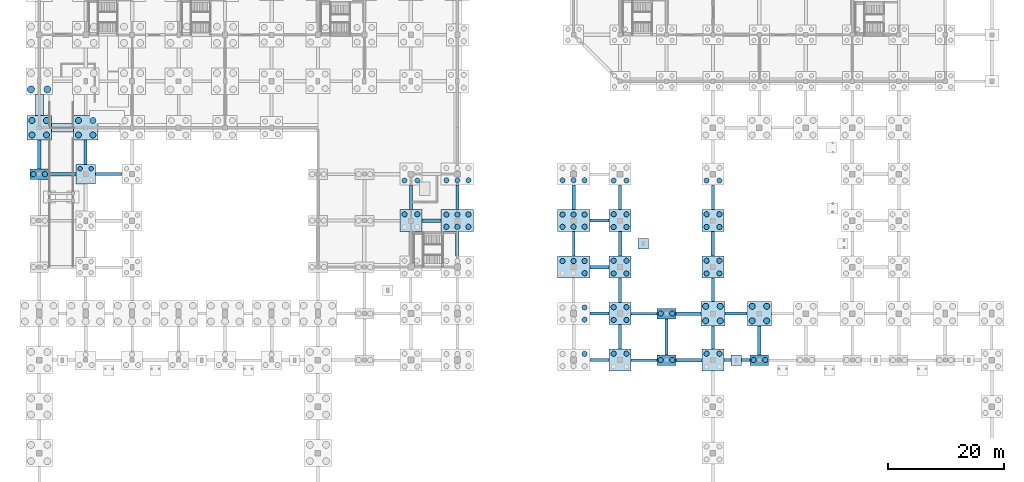
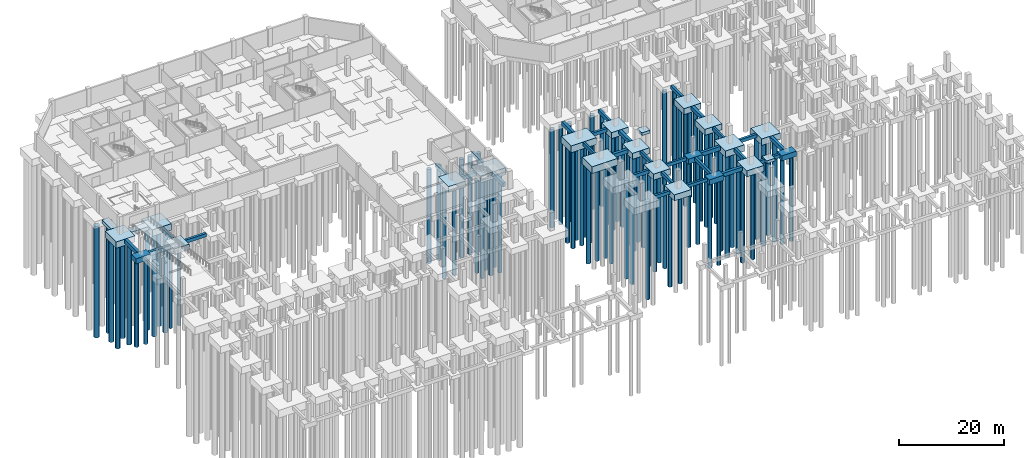
# One storey, part 4 of 32: 85 piles, 55 footings.
"""IFC4 building model written with IfcOpenShell, lengths in metres."""

from ifc_helpers import new_model, si_unit, direction, frame, origin, origin_2d, place, context, subcontext, project, spatial, polyline, rectangle, circle, outline, extrude, material, material_profile, profile_set, type_object, element, save


model = new_model("IFC4")

# Units and contexts
model_context = context("Model", 3, precision=1e-05, world=origin(), true_north=direction((0.0, 1.0)))
body_context = subcontext(model_context, "Body", "Model", "MODEL_VIEW")
ifc_project = project(units=[si_unit("LENGTHUNIT", "METRE"), si_unit("AREAUNIT", "SQUARE_METRE"), si_unit("VOLUMEUNIT", "CUBIC_METRE"), si_unit("PLANEANGLEUNIT", "RADIAN"), si_unit("MASSUNIT", "GRAM", prefix="KILO")], contexts=[model_context])

# Site, building, storey
site_placement = place(None, origin())
site = spatial("IfcSite", under=ifc_project, at=site_placement, CompositionType="ELEMENT")
building_placement = place(site_placement, origin())
building = spatial("IfcBuilding", under=site, at=building_placement, Name="Tenunan Teduh Sports Hall", CompositionType="ELEMENT")
storey_placement = place(building_placement, frame((0.0, 0.0, -4.199951171875)))
storey = spatial("IfcBuildingStorey", under=building, at=storey_placement, Name="B1", CompositionType="ELEMENT", Elevation=-4.199951171875)

# Footings
ifc_material_1 = material(Name="Concrete C40/50", Category="concrete")
ifc_material_profile_1 = material_profile(ifc_material_1, rectangle(XDim=0.449951171875, YDim=0.75, at=origin_2d()), Name="RCB 450x750")
ifc_profile_set_1 = profile_set([ifc_material_profile_1], Name="Concrete C40/50")
footing_type_1 = type_object("IfcFootingType", Name="GB-450x750", PredefinedType="FOOTING_BEAM", material=ifc_profile_set_1)
for number, where, z_axis, x_axis, name in (
    (1, (107.902099609375, 38.0, -0.375), (1.0, 0.0, 0.0), (0.0, 1.0, 0.0), "FTG-GBX-050"),
    (2, (107.902099609375, 46.0, -0.375), (1.0, 0.0, 0.0), (0.0, 1.0, 0.0), "FTG-GBX-071"),
):
    element("IfcFooting", number, at=place(storey_placement, frame(where, z_axis=z_axis, x_axis=x_axis)), inside=storey, type_object=footing_type_1, Name=name, PredefinedType="FOOTING_BEAM", context=body_context, shape_type="SweptSolid", body=[
        extrude(rectangle(XDim=0.449951171875, YDim=0.75, at=origin_2d()), origin(), (0.0, 0.0, 1.0), 4.495849609375),
    ])
for number, where, z_axis, x_axis, name in (
    (3, (98.0, 55.902099609375, -0.375), (0.0, 1.0, 0.0), (-1.0, 0.0, 0.0), "FTG-GBY-261"),
    (4, (106.0, 47.902099609375, -0.375), (0.0, 1.0, 0.0), (-1.0, 0.0, 0.0), "FTG-GBY-265"),
):
    element("IfcFooting", number, at=place(storey_placement, frame(where, z_axis=z_axis, x_axis=x_axis)), inside=storey, type_object=footing_type_1, Name=name, PredefinedType="FOOTING_BEAM", context=body_context, shape_type="SweptSolid", body=[
        extrude(rectangle(XDim=0.449951171875, YDim=0.75, at=origin_2d()), origin(), (0.0, 0.0, 1.0), 4.19580078125),
    ])
footing_1_placement = place(storey_placement, frame((122.0, 48.10205078125, -0.375), z_axis=(0.0, 1.0, 0.0), x_axis=(-1.0, 0.0, 0.0)))
element("IfcFooting", 5, at=footing_1_placement, inside=storey, type_object=footing_type_1, Name="FTG-GBY-283", PredefinedType="FOOTING_BEAM", context=body_context, shape_type="SweptSolid", body=[
    extrude(rectangle(XDim=0.449951171875, YDim=0.75, at=origin_2d()), origin(), (0.0, 0.0, 1.0), 3.995849609375),
])
ifc_material_2 = material(Name="Concrete C40/50", Category="concrete")
ifc_material_profile_2 = material_profile(ifc_material_2, rectangle(XDim=0.5, YDim=0.800048828125, at=origin_2d()), Name="RCB 500x800")
ifc_profile_set_2 = profile_set([ifc_material_profile_2], Name="Concrete C40/50")
footing_type_2 = type_object("IfcFootingType", Name="GB-500x800", PredefinedType="FOOTING_BEAM", material=ifc_profile_set_2)
footing_2_placement = place(storey_placement, frame((100.802001953125, 38.0, -0.400146484375), z_axis=(1.0, 0.0, 0.0), x_axis=(0.0, 1.0, 0.0)))
element("IfcFooting", 6, at=footing_2_placement, inside=storey, type_object=footing_type_2, Name="FTG-GBX-049", PredefinedType="FOOTING_BEAM", context=body_context, shape_type="SweptSolid", body=[
    extrude(rectangle(XDim=0.5, YDim=0.800048828125, at=origin_2d()), origin(), (0.0, 0.0, 1.0), 3.2958984375),
])
footing_3_placement = place(storey_placement, frame((123.902099609375, 38.0, -0.400146484375), z_axis=(1.0, 0.0, 0.0), x_axis=(0.0, 1.0, 0.0)))
element("IfcFooting", 7, at=footing_3_placement, inside=storey, type_object=footing_type_2, Name="FTG-GBX-052", PredefinedType="FOOTING_BEAM", context=body_context, shape_type="SweptSolid", body=[
    extrude(rectangle(XDim=0.5, YDim=0.800048828125, at=origin_2d()), origin(), (0.0, 0.0, 1.0), 1.19580078125),
])
footing_4_placement = place(storey_placement, frame((126.902099609375, 38.0, -0.400146484375), z_axis=(1.0, 0.0, 0.0), x_axis=(0.0, 1.0, 0.0)))
element("IfcFooting", 8, at=footing_4_placement, inside=storey, type_object=footing_type_2, Name="FTG-GBX-053", PredefinedType="FOOTING_BEAM", context=body_context, shape_type="SweptSolid", body=[
    extrude(rectangle(XDim=0.5, YDim=0.800048828125, at=origin_2d()), origin(), (0.0, 0.0, 1.0), 1.495849609375),
])
footing_5_placement = place(storey_placement, frame((100.802001953125, 46.0, -0.400146484375), z_axis=(1.0, 0.0, 0.0), x_axis=(0.0, 1.0, 0.0)))
element("IfcFooting", 9, at=footing_5_placement, inside=storey, type_object=footing_type_2, Name="FTG-GBX-070", PredefinedType="FOOTING_BEAM", context=body_context, shape_type="SweptSolid", body=[
    extrude(rectangle(XDim=0.5, YDim=0.800048828125, at=origin_2d()), origin(), (0.0, 0.0, 1.0), 3.2958984375),
])
footing_6_placement = place(storey_placement, frame((124.10205078125, 46.0, -0.400146484375), z_axis=(1.0, 0.0, 0.0), x_axis=(0.0, 1.0, 0.0)))
element("IfcFooting", 10, at=footing_6_placement, inside=storey, type_object=footing_type_2, Name="FTG-GBX-073", PredefinedType="FOOTING_BEAM", context=body_context, shape_type="SweptSolid", body=[
    extrude(rectangle(XDim=0.5, YDim=0.800048828125, at=origin_2d()), origin(), (0.0, 0.0, 1.0), 3.7958984375),
])
footing_7_placement = place(storey_placement, frame((100.802001953125, 62.0, -0.400146484375), z_axis=(1.0, 0.0, 0.0), x_axis=(0.0, 1.0, 0.0)))
element("IfcFooting", 11, at=footing_7_placement, inside=storey, type_object=footing_type_2, Name="FTG-GBX-088", PredefinedType="FOOTING_BEAM", context=body_context, shape_type="SweptSolid", body=[
    extrude(rectangle(XDim=0.5, YDim=0.800048828125, at=origin_2d()), origin(), (0.0, 0.0, 1.0), 3.2958984375),
])
footing_8_placement = place(storey_placement, frame((15.701904296875, 70.0, -0.400146484375), z_axis=(1.0, 0.0, 0.0), x_axis=(0.0, 1.0, 0.0)))
element("IfcFooting", 12, at=footing_8_placement, inside=storey, type_object=footing_type_2, Name="FTG-GBX-091", PredefinedType="FOOTING_BEAM", context=body_context, shape_type="SweptSolid", body=[
    extrude(rectangle(XDim=0.5, YDim=0.800048828125, at=origin_2d()), origin(), (0.0, 0.0, 1.0), 4.59619140625),
])
footing_9_placement = place(storey_placement, frame((14.0, 71.701904296875, -0.400146484375), z_axis=(0.0, 1.0, 0.0), x_axis=(-1.0, 0.0, 0.0)))
element("IfcFooting", 13, at=footing_9_placement, inside=storey, type_object=footing_type_2, Name="FTG-GBY-185", PredefinedType="FOOTING_BEAM", context=body_context, shape_type="SweptSolid", body=[
    extrude(rectangle(XDim=0.5, YDim=0.800048828125, at=origin_2d()), origin(), (0.0, 0.0, 1.0), 4.196044921875),
])
for number, where, z_axis, x_axis, name in (
    (14, (70.0, 63.902099609375, -0.400146484375), (0.0, 1.0, 0.0), (-1.0, 0.0, 0.0), "FTG-GBY-248"),
    (15, (78.0, 63.902099609375, -0.400146484375), (0.0, 1.0, 0.0), (-1.0, 0.0, 0.0), "FTG-GBY-257"),
    (16, (106.0, 39.902099609375, -0.400146484375), (0.0, 1.0, 0.0), (-1.0, 0.0, 0.0), "FTG-GBY-264"),
    (17, (106.0, 63.902099609375, -0.400146484375), (0.0, 1.0, 0.0), (-1.0, 0.0, 0.0), "FTG-GBY-267"),
):
    element("IfcFooting", number, at=place(storey_placement, frame(where, z_axis=z_axis, x_axis=x_axis)), inside=storey, type_object=footing_type_2, Name=name, PredefinedType="FOOTING_BEAM", context=body_context, shape_type="SweptSolid", body=[
        extrude(rectangle(XDim=0.5, YDim=0.800048828125, at=origin_2d()), origin(), (0.0, 0.0, 1.0), 4.19580078125),
    ])
footing_10_placement = place(storey_placement, frame((114.0, 38.902099609375, -0.400146484375), z_axis=(0.0, 1.0, 0.0), x_axis=(-1.0, 0.0, 0.0)))
element("IfcFooting", 18, at=footing_10_placement, inside=storey, type_object=footing_type_2, Name="FTG-GBY-273", PredefinedType="FOOTING_BEAM", context=body_context, shape_type="SweptSolid", body=[
    extrude(rectangle(XDim=0.5, YDim=0.800048828125, at=origin_2d()), origin(), (0.0, 0.0, 1.0), 6.19580078125),
])
footing_11_placement = place(storey_placement, frame((122.0, 39.902099609375, -0.400146484375), z_axis=(0.0, 1.0, 0.0), x_axis=(-1.0, 0.0, 0.0)))
element("IfcFooting", 19, at=footing_11_placement, inside=storey, type_object=footing_type_2, Name="FTG-GBY-282", PredefinedType="FOOTING_BEAM", context=body_context, shape_type="SweptSolid", body=[
    extrude(rectangle(XDim=0.5, YDim=0.800048828125, at=origin_2d()), origin(), (0.0, 0.0, 1.0), 3.995849609375),
])
footing_12_placement = place(storey_placement, frame((122.0, 63.902099609375, -0.400146484375), z_axis=(0.0, 1.0, 0.0), x_axis=(-1.0, 0.0, 0.0)))
element("IfcFooting", 20, at=footing_12_placement, inside=storey, type_object=footing_type_2, Name="FTG-GBY-285", PredefinedType="FOOTING_BEAM", context=body_context, shape_type="SweptSolid", body=[
    extrude(rectangle(XDim=0.5, YDim=0.800048828125, at=origin_2d()), origin(), (0.0, 0.0, 1.0), 4.19580078125),
])
ifc_material_3 = material(Name="Concrete C40/50", Category="concrete")
ifc_material_profile_3 = material_profile(ifc_material_3, rectangle(XDim=0.60009765625, YDim=0.89990234375, at=origin_2d()), Name="RCB 600x900")
ifc_profile_set_3 = profile_set([ifc_material_profile_3], Name="Concrete C40/50")
footing_type_3 = type_object("IfcFootingType", Name="GB-600x900", PredefinedType="FOOTING_BEAM", material=ifc_profile_set_3)
footing_13_placement = place(storey_placement, frame((115.60205078125, 38.0, -0.449951171875), z_axis=(1.0, 0.0, 0.0), x_axis=(0.0, 1.0, 0.0)))
element("IfcFooting", 21, at=footing_13_placement, inside=storey, type_object=footing_type_3, Name="FTG-GBX-051", PredefinedType="FOOTING_BEAM", context=body_context, shape_type="SweptSolid", body=[
    extrude(rectangle(XDim=0.60009765625, YDim=0.89990234375, at=origin_2d()), origin(), (0.0, 0.0, 1.0), 4.495849609375),
])
footing_14_placement = place(storey_placement, frame((115.60205078125, 46.0, -0.449951171875), z_axis=(1.0, 0.0, 0.0), x_axis=(0.0, 1.0, 0.0)))
element("IfcFooting", 22, at=footing_14_placement, inside=storey, type_object=footing_type_3, Name="FTG-GBX-072", PredefinedType="FOOTING_BEAM", context=body_context, shape_type="SweptSolid", body=[
    extrude(rectangle(XDim=0.60009765625, YDim=0.89990234375, at=origin_2d()), origin(), (0.0, 0.0, 1.0), 4.2958984375),
])
for number, where, z_axis, x_axis, name in (
    (23, (100.802001953125, 54.0, -0.449951171875), (1.0, 0.0, 0.0), (0.0, 1.0, 0.0), "FTG-GBX-081"),
    (24, (71.902099609375, 62.0, -0.449951171875), (1.0, 0.0, 0.0), (0.0, 1.0, 0.0), "FTG-GBX-087"),
):
    element("IfcFooting", number, at=place(storey_placement, frame(where, z_axis=z_axis, x_axis=x_axis)), inside=storey, type_object=footing_type_3, Name=name, PredefinedType="FOOTING_BEAM", context=body_context, shape_type="SweptSolid", body=[
        extrude(rectangle(XDim=0.60009765625, YDim=0.89990234375, at=origin_2d()), origin(), (0.0, 0.0, 1.0), 3.2958984375),
    ])
footing_15_placement = place(storey_placement, frame((7.60205078125, 70.0, -0.449951171875), z_axis=(1.0, 0.0, 0.0), x_axis=(0.0, 1.0, 0.0)))
element("IfcFooting", 25, at=footing_15_placement, inside=storey, type_object=footing_type_3, Name="FTG-GBX-090", PredefinedType="FOOTING_BEAM", context=body_context, shape_type="SweptSolid", body=[
    extrude(rectangle(XDim=0.60009765625, YDim=0.89990234375, at=origin_2d()), origin(), (0.0, 0.0, 1.0), 4.696044921875),
])
footing_16_placement = place(storey_placement, frame((6.0, 70.902099609375, -0.449951171875), z_axis=(0.0, 1.0, 0.0), x_axis=(-1.0, 0.0, 0.0)))
element("IfcFooting", 26, at=footing_16_placement, inside=storey, type_object=footing_type_3, Name="FTG-GBY-179", PredefinedType="FOOTING_BEAM", context=body_context, shape_type="SweptSolid", body=[
    extrude(rectangle(XDim=0.60009765625, YDim=0.89990234375, at=origin_2d()), origin(), (0.0, 0.0, 1.0), 4.995849609375),
])
for number, where, z_axis, x_axis, name in (
    (27, (78.0, 55.902099609375, -0.449951171875), (0.0, 1.0, 0.0), (-1.0, 0.0, 0.0), "FTG-GBY-256"),
    (28, (98.0, 63.902099609375, -0.449951171875), (0.0, 1.0, 0.0), (-1.0, 0.0, 0.0), "FTG-GBY-262"),
    (29, (106.0, 55.902099609375, -0.449951171875), (0.0, 1.0, 0.0), (-1.0, 0.0, 0.0), "FTG-GBY-266"),
    (30, (122.0, 55.902099609375, -0.449951171875), (0.0, 1.0, 0.0), (-1.0, 0.0, 0.0), "FTG-GBY-284"),
):
    element("IfcFooting", number, at=place(storey_placement, frame(where, z_axis=z_axis, x_axis=x_axis)), inside=storey, type_object=footing_type_3, Name=name, PredefinedType="FOOTING_BEAM", context=body_context, shape_type="SweptSolid", body=[
        extrude(rectangle(XDim=0.60009765625, YDim=0.89990234375, at=origin_2d()), origin(), (0.0, 0.0, 1.0), 4.19580078125),
    ])
footing_17_placement = place(storey_placement, frame((130.0, 38.902099609375, -0.449951171875), z_axis=(0.0, 1.0, 0.0), x_axis=(-1.0, 0.0, 0.0)))
element("IfcFooting", 31, at=footing_17_placement, inside=storey, type_object=footing_type_3, Name="FTG-GBY-293", PredefinedType="FOOTING_BEAM", context=body_context, shape_type="SweptSolid", body=[
    extrude(rectangle(XDim=0.60009765625, YDim=0.89990234375, at=origin_2d()), origin(), (0.0, 0.0, 1.0), 4.995849609375),
])
ifc_material_4 = material(Name="Concrete C40/50", Category="concrete")
footing_type_4 = type_object("IfcFootingType", Name="PC-2B", PredefinedType="PILE_CAP", material=ifc_material_4)
for number, where, z_axis, x_axis, name in (
    (32, (6.0, 70.0, -1.2001953125), (0.0, 0.0, 1.0), (1.0, 0.0, 0.0), "FTG-PC-009"),
    (33, (114.0, 38.0, -1.2001953125), (0.0, 0.0, 1.0), (1.0, 0.0, 0.0), "FTG-PC-144"),
    (34, (114.0, 46.0, -1.2001953125), (0.0, 0.0, 1.0), (1.0, 0.0, 0.0), "FTG-PC-145"),
    (35, (130.0, 38.0, -1.2001953125), (0.0, 0.0, 1.0), (1.0, 0.0, 0.0), "FTG-PC-168"),
):
    element("IfcFooting", number, at=place(storey_placement, frame(where, z_axis=z_axis, x_axis=x_axis)), inside=storey, type_object=footing_type_4, Name=name, PredefinedType="PILE_CAP", context=body_context, shape_type="SweptSolid", body=[
        extrude(rectangle(XDim=3.199951171875, YDim=1.800048828125, at=origin_2d()), origin(), (0.0, 0.0, 1.0), 1.199951171875),
    ])
ifc_material_5 = material(Name="Concrete C40/50", Category="concrete")
footing_type_5 = type_object("IfcFootingType", Name="PC-4A", PredefinedType="PILE_CAP", material=ifc_material_5)
footing_18_placement = place(storey_placement, frame((14.0, 70.0, -1.30029296875), z_axis=(0.0, 0.0, 1.0), x_axis=(1.0, 0.0, 0.0)))
element("IfcFooting", 36, at=footing_18_placement, inside=storey, type_object=footing_type_5, Name="FTG-PC-021", PredefinedType="PILE_CAP", context=body_context, shape_type="SweptSolid", body=[
    extrude(rectangle(XDim=3.39990234375, YDim=3.39990234375, at=origin_2d()), origin(), (0.0, 0.0, 1.0), 1.300048828125),
])
ifc_material_6 = material(Name="Concrete C40/50", Category="concrete")
footing_type_6 = type_object("IfcFootingType", Name="PC-4B", PredefinedType="PILE_CAP", material=ifc_material_6)
for number, where, z_axis, x_axis, name in (
    (37, (70.0, 62.0, -1.39990234375), (0.0, 0.0, 1.0), (1.0, 0.0, 0.0), "FTG-PC-102"),
    (38, (106.0, 38.0, -1.39990234375), (0.0, 0.0, 1.0), (1.0, 0.0, 0.0), "FTG-PC-132"),
    (39, (106.0, 46.0, -1.39990234375), (0.0, 0.0, 1.0), (1.0, 0.0, 0.0), "FTG-PC-133"),
    (40, (106.0, 54.0, -1.39990234375), (0.0, 0.0, 1.0), (1.0, 0.0, 0.0), "FTG-PC-134"),
    (41, (106.0, 62.0, -1.39990234375), (0.0, 0.0, 1.0), (1.0, 0.0, 0.0), "FTG-PC-135"),
    (42, (122.0, 38.0, -1.39990234375), (0.0, 0.0, 1.0), (1.0, 0.0, 0.0), "FTG-PC-155"),
    (43, (122.0, 54.0, -1.39990234375), (0.0, 0.0, 1.0), (1.0, 0.0, 0.0), "FTG-PC-157"),
    (44, (122.0, 62.0, -1.39990234375), (0.0, 0.0, 1.0), (1.0, 0.0, 0.0), "FTG-PC-158"),
):
    element("IfcFooting", number, at=place(storey_placement, frame(where, z_axis=z_axis, x_axis=x_axis)), inside=storey, type_object=footing_type_6, Name=name, PredefinedType="PILE_CAP", context=body_context, shape_type="SweptSolid", body=[
        extrude(rectangle(XDim=3.800048828125, YDim=3.800048828125, at=origin_2d()), origin(), (0.0, 0.0, 1.0), 1.39990234375),
    ])
ifc_material_7 = material(Name="Concrete C40/50", Category="concrete")
footing_type_7 = type_object("IfcFootingType", Name="PC-4C", PredefinedType="PILE_CAP", material=ifc_material_7)
for number, where, z_axis, x_axis, name in (
    (45, (6.0, 78.0, -1.5), (0.0, 0.0, 1.0), (1.0, 0.0, 0.0), "FTG-PC-010"),
    (46, (14.0, 78.0, -1.5), (0.0, 0.0, 1.0), (1.0, 0.0, 0.0), "FTG-PC-022"),
    (47, (122.0, 46.0, -1.5), (0.0, 0.0, 1.0), (1.0, 0.0, 0.0), "FTG-PC-156"),
    (48, (130.0, 46.0, -1.5), (0.0, 0.0, 1.0), (1.0, 0.0, 0.0), "FTG-PC-169"),
):
    element("IfcFooting", number, at=place(storey_placement, frame(where, z_axis=z_axis, x_axis=x_axis)), inside=storey, type_object=footing_type_7, Name=name, PredefinedType="PILE_CAP", context=body_context, shape_type="SweptSolid", body=[
        extrude(rectangle(XDim=4.199951171875, YDim=4.199951171875, at=origin_2d()), origin(), (0.0, 0.0, 1.0), 1.5),
    ])
ifc_material_8 = material(Name="Concrete C40/50", Category="concrete")
footing_type_8 = type_object("IfcFootingType", Name="PC-6A", PredefinedType="PILE_CAP", material=ifc_material_8)
for number, where, z_axis, x_axis, name in (
    (49, (78.0, 62.0, -1.60009765625), (0.0, 0.0, 1.0), (1.0, 0.0, 0.0), "FTG-PC-114"),
    (50, (98.0, 54.0, -1.60009765625), (0.0, 0.0, 1.0), (1.0, 0.0, 0.0), "FTG-PC-124"),
    (51, (98.0, 62.0, -1.60009765625), (0.0, 0.0, 1.0), (1.0, 0.0, 0.0), "FTG-PC-125"),
):
    element("IfcFooting", number, at=place(storey_placement, frame(where, z_axis=z_axis, x_axis=x_axis)), inside=storey, type_object=footing_type_8, Name=name, PredefinedType="PILE_CAP", context=body_context, shape_type="SweptSolid", body=[
        extrude(rectangle(XDim=5.60009765625, YDim=3.800048828125, at=origin_2d()), origin(), (0.0, 0.0, 1.0), 1.60009765625),
    ])
ifc_material_9 = material(Name="Concrete C40/50", Category="concrete")
footing_type_9 = type_object("IfcFootingType", Name="PF-1A", PredefinedType="PAD_FOOTING", material=ifc_material_9)
for number, where, z_axis, x_axis, name in (
    (52, (126.0, 38.0, -0.64990234375), (0.0, 0.0, 1.0), (1.0, 0.0, 0.0), "FTG-PIL-04"),
    (53, (110.0, 58.0, -0.64990234375), (0.0, 0.0, 1.0), (1.0, 0.0, 0.0), "FTG-PIL-08"),
):
    element("IfcFooting", number, at=place(storey_placement, frame(where, z_axis=z_axis, x_axis=x_axis)), inside=storey, type_object=footing_type_9, Name=name, PredefinedType="PAD_FOOTING", context=body_context, shape_type="SweptSolid", body=[
        extrude(rectangle(XDim=1.800048828125, YDim=1.800048828125, at=origin_2d()), origin(), (0.0, 0.0, 1.0), 0.64990234375),
    ])

# Piles
ifc_material_10 = material(Name="Concrete C40/50", Category="concrete")
ifc_material_profile_4 = material_profile(ifc_material_10, circle(Radius=0.52490234375, at=origin_2d()), Name="PILE D1050")
ifc_profile_set_4 = profile_set([ifc_material_profile_4], Name="Concrete C40/50")
pile_type_1 = type_object("IfcPileType", Name="PILE-D1050", PredefinedType="BORED", material=ifc_profile_set_4)
for number, where, z_axis, x_axis, name in (
    (54, (4.75, 76.75, -1.400146484375), (0.0, 0.0, -1.0), (1.0, 0.0, 0.0), "PILE-PL-3-010-1"),
    (55, (7.25, 76.75, -1.400146484375), (0.0, 0.0, -1.0), (1.0, 0.0, 0.0), "PILE-PL-3-010-2"),
    (56, (4.75, 79.25, -1.400146484375), (0.0, 0.0, -1.0), (1.0, 0.0, 0.0), "PILE-PL-3-010-3"),
    (57, (7.25, 79.25, -1.400146484375), (0.0, 0.0, -1.0), (1.0, 0.0, 0.0), "PILE-PL-3-010-4"),
    (58, (12.75, 76.75, -1.400146484375), (0.0, 0.0, -1.0), (1.0, 0.0, 0.0), "PILE-PL-3-022-1"),
    (59, (15.25, 76.75, -1.400146484375), (0.0, 0.0, -1.0), (1.0, 0.0, 0.0), "PILE-PL-3-022-2"),
    (60, (12.75, 79.25, -1.400146484375), (0.0, 0.0, -1.0), (1.0, 0.0, 0.0), "PILE-PL-3-022-3"),
    (61, (15.25, 79.25, -1.400146484375), (0.0, 0.0, -1.0), (1.0, 0.0, 0.0), "PILE-PL-3-022-4"),
    (62, (120.75, 44.75, -1.400146484375), (0.0, 0.0, -1.0), (1.0, 0.0, 0.0), "PILE-PL-3-156-1"),
    (63, (123.25, 44.75, -1.400146484375), (0.0, 0.0, -1.0), (1.0, 0.0, 0.0), "PILE-PL-3-156-2"),
    (64, (120.75, 47.25, -1.400146484375), (0.0, 0.0, -1.0), (1.0, 0.0, 0.0), "PILE-PL-3-156-3"),
    (65, (123.25, 47.25, -1.400146484375), (0.0, 0.0, -1.0), (1.0, 0.0, 0.0), "PILE-PL-3-156-4"),
    (66, (128.75, 44.75, -1.400146484375), (0.0, 0.0, -1.0), (1.0, 0.0, 0.0), "PILE-PL-3-169-1"),
    (67, (131.25, 44.75, -1.400146484375), (0.0, 0.0, -1.0), (1.0, 0.0, 0.0), "PILE-PL-3-169-2"),
    (68, (128.75, 47.25, -1.400146484375), (0.0, 0.0, -1.0), (1.0, 0.0, 0.0), "PILE-PL-3-169-3"),
    (69, (131.25, 47.25, -1.400146484375), (0.0, 0.0, -1.0), (1.0, 0.0, 0.0), "PILE-PL-3-169-4"),
):
    element("IfcPile", number, at=place(storey_placement, frame(where, z_axis=z_axis, x_axis=x_axis)), inside=storey, type_object=pile_type_1, Name=name, PredefinedType="BORED", context=body_context, shape_type="SweptSolid", body=[
        extrude(circle(Radius=0.52490234375, at=origin_2d()), origin(), (0.0, 0.0, 1.0), 24.0),
    ])
ifc_material_11 = material(Name="Concrete C40/50", Category="concrete")
ifc_material_profile_5 = material_profile(ifc_material_11, circle(Radius=0.60009765625, at=origin_2d()), Name="PILE D1200")
ifc_profile_set_5 = profile_set([ifc_material_profile_5], Name="Concrete C40/50")
pile_type_2 = type_object("IfcPileType", Name="PILE-D1200", PredefinedType="BORED", material=ifc_profile_set_5)
for number, where, z_axis, x_axis, name in (
    (70, (4.60009765625, 84.60009765625, -1.5), (0.0, 0.0, -1.0), (1.0, 0.0, 0.0), "PILE-PL-4-011-1"),
    (71, (7.39990234375, 84.60009765625, -1.5), (0.0, 0.0, -1.0), (1.0, 0.0, 0.0), "PILE-PL-4-011-2"),
):
    element("IfcPile", number, at=place(storey_placement, frame(where, z_axis=z_axis, x_axis=x_axis)), inside=storey, type_object=pile_type_2, Name=name, PredefinedType="BORED", context=body_context, shape_type="SweptSolid", body=[
        extrude(circle(Radius=0.60009765625, at=origin_2d()), origin(), (0.0, 0.0, 1.0), 26.0),
    ])
ifc_material_12 = material(Name="Concrete C40/50", Category="concrete")
ifc_material_profile_6 = material_profile(ifc_material_12, circle(Radius=0.375, at=origin_2d()), Name="PILE D750")
ifc_profile_set_6 = profile_set([ifc_material_profile_6], Name="Concrete C40/50")
pile_type_3 = type_object("IfcPileType", Name="PILE-D750", PredefinedType="BORED", material=ifc_profile_set_6)
for number, where, z_axis, x_axis, name in (
    (72, (13.050048828125, 70.949951171875, -1.199951171875), (0.0, 0.0, -1.0), (1.0, 0.0, 0.0), "PILE-PL-1-021-3"),
    (73, (14.949951171875, 70.949951171875, -1.199951171875), (0.0, 0.0, -1.0), (1.0, 0.0, 0.0), "PILE-PL-1-021-4"),
):
    element("IfcPile", number, at=place(storey_placement, frame(where, z_axis=z_axis, x_axis=x_axis)), inside=storey, type_object=pile_type_3, Name=name, PredefinedType="BORED", context=body_context, shape_type="SweptSolid", body=[
        extrude(circle(Radius=0.375, at=origin_2d()), origin(), (0.0, 0.0, 1.0), 19.0),
    ])
ifc_material_13 = material(Name="Concrete C40/50", Category="concrete")
ifc_material_profile_7 = material_profile(ifc_material_13, circle(Radius=0.449951171875, at=origin_2d()), Name="PILE D900")
ifc_profile_set_7 = profile_set([ifc_material_profile_7], Name="Concrete C40/50")
pile_type_4 = type_object("IfcPileType", Name="PILE-D900", PredefinedType="BORED", material=ifc_profile_set_7)
for number, where, z_axis, x_axis, name in (
    (74, (5.0, 70.0, -1.10009765625), (0.0, 0.0, -1.0), (1.0, 0.0, 0.0), "PILE-PL-2-009-1"),
    (75, (7.0, 70.0, -1.10009765625), (0.0, 0.0, -1.0), (1.0, 0.0, 0.0), "PILE-PL-2-009-2"),
):
    element("IfcPile", number, at=place(storey_placement, frame(where, z_axis=z_axis, x_axis=x_axis)), inside=storey, type_object=pile_type_4, Name=name, PredefinedType="BORED", context=body_context, shape_type="SweptSolid", body=[
        extrude(circle(Radius=0.449951171875, at=origin_2d()), origin(), (0.0, 0.0, 1.0), 20.0),
    ])
for number, where, z_axis, x_axis, name in (
    (76, (68.89990234375, 63.10009765625, -1.300048828125), (0.0, 0.0, -1.0), (1.0, 0.0, 0.0), "PILE-PL-2-102-3"),
    (77, (71.10009765625, 63.10009765625, -1.300048828125), (0.0, 0.0, -1.0), (1.0, 0.0, 0.0), "PILE-PL-2-102-4"),
    (78, (68.89990234375, 68.89990234375, -1.300048828125), (0.0, 0.0, -1.0), (1.0, 0.0, 0.0), "PILE-PL-2-103-1"),
    (79, (71.10009765625, 68.89990234375, -1.300048828125), (0.0, 0.0, -1.0), (1.0, 0.0, 0.0), "PILE-PL-2-103-2"),
):
    element("IfcPile", number, at=place(storey_placement, frame(where, z_axis=z_axis, x_axis=x_axis)), inside=storey, type_object=pile_type_4, Name=name, PredefinedType="BORED", context=body_context, shape_type="SweptSolid", body=[
        extrude(circle(Radius=0.449951171875, at=origin_2d()), origin(), (0.0, 0.0, 1.0), 22.0),
    ])
for number, where, z_axis, x_axis, name in (
    (80, (76.10009765625, 60.949951171875, -1.5), (0.0, 0.0, -1.0), (1.0, 0.0, 0.0), "PILE-PL-2-114-1"),
    (81, (78.0, 60.949951171875, -1.5), (0.0, 0.0, -1.0), (1.0, 0.0, 0.0), "PILE-PL-2-114-2"),
    (82, (79.89990234375, 60.949951171875, -1.5), (0.0, 0.0, -1.0), (1.0, 0.0, 0.0), "PILE-PL-2-114-3"),
    (83, (76.10009765625, 63.050048828125, -1.5), (0.0, 0.0, -1.0), (1.0, 0.0, 0.0), "PILE-PL-2-114-4"),
    (84, (78.0, 63.050048828125, -1.5), (0.0, 0.0, -1.0), (1.0, 0.0, 0.0), "PILE-PL-2-114-5"),
    (85, (79.89990234375, 63.050048828125, -1.5), (0.0, 0.0, -1.0), (1.0, 0.0, 0.0), "PILE-PL-2-114-6"),
    (86, (76.10009765625, 68.949951171875, -1.5), (0.0, 0.0, -1.0), (1.0, 0.0, 0.0), "PILE-PL-2-115-1"),
    (87, (78.0, 68.949951171875, -1.5), (0.0, 0.0, -1.0), (1.0, 0.0, 0.0), "PILE-PL-2-115-2"),
    (88, (79.89990234375, 68.949951171875, -1.5), (0.0, 0.0, -1.0), (1.0, 0.0, 0.0), "PILE-PL-2-115-3"),
    (89, (99.89990234375, 39.050048828125, -1.5), (0.0, 0.0, -1.0), (1.0, 0.0, 0.0), "PILE-PL-2-122-6"),
    (90, (99.89990234375, 44.949951171875, -1.5), (0.0, 0.0, -1.0), (1.0, 0.0, 0.0), "PILE-PL-2-123-3"),
    (91, (99.89990234375, 47.050048828125, -1.5), (0.0, 0.0, -1.0), (1.0, 0.0, 0.0), "PILE-PL-2-123-6"),
    (92, (99.89990234375, 52.949951171875, -1.5), (0.0, 0.0, -1.0), (1.0, 0.0, 0.0), "PILE-PL-2-124-3"),
    (93, (96.10009765625, 55.050048828125, -1.5), (0.0, 0.0, -1.0), (1.0, 0.0, 0.0), "PILE-PL-2-124-4"),
    (94, (98.0, 55.050048828125, -1.5), (0.0, 0.0, -1.0), (1.0, 0.0, 0.0), "PILE-PL-2-124-5"),
    (95, (99.89990234375, 55.050048828125, -1.5), (0.0, 0.0, -1.0), (1.0, 0.0, 0.0), "PILE-PL-2-124-6"),
    (96, (96.10009765625, 60.949951171875, -1.5), (0.0, 0.0, -1.0), (1.0, 0.0, 0.0), "PILE-PL-2-125-1"),
    (97, (98.0, 60.949951171875, -1.5), (0.0, 0.0, -1.0), (1.0, 0.0, 0.0), "PILE-PL-2-125-2"),
    (98, (99.89990234375, 60.949951171875, -1.5), (0.0, 0.0, -1.0), (1.0, 0.0, 0.0), "PILE-PL-2-125-3"),
    (99, (96.10009765625, 63.050048828125, -1.5), (0.0, 0.0, -1.0), (1.0, 0.0, 0.0), "PILE-PL-2-125-4"),
    (100, (98.0, 63.050048828125, -1.5), (0.0, 0.0, -1.0), (1.0, 0.0, 0.0), "PILE-PL-2-125-5"),
    (101, (99.89990234375, 63.050048828125, -1.5), (0.0, 0.0, -1.0), (1.0, 0.0, 0.0), "PILE-PL-2-125-6"),
    (102, (96.10009765625, 68.949951171875, -1.5), (0.0, 0.0, -1.0), (1.0, 0.0, 0.0), "PILE-PL-2-126-1"),
    (103, (98.0, 68.949951171875, -1.5), (0.0, 0.0, -1.0), (1.0, 0.0, 0.0), "PILE-PL-2-126-2"),
    (104, (99.89990234375, 68.949951171875, -1.5), (0.0, 0.0, -1.0), (1.0, 0.0, 0.0), "PILE-PL-2-126-3"),
):
    element("IfcPile", number, at=place(storey_placement, frame(where, z_axis=z_axis, x_axis=x_axis)), inside=storey, type_object=pile_type_4, Name=name, PredefinedType="BORED", context=body_context, shape_type="SweptSolid", body=[
        extrude(circle(Radius=0.449951171875, at=origin_2d()), origin(), (0.0, 0.0, 1.0), 23.0),
    ])
for number, where, z_axis, x_axis, name in (
    (105, (104.89990234375, 39.10009765625, -1.300048828125), (0.0, 0.0, -1.0), (1.0, 0.0, 0.0), "PILE-PL-2-132-3"),
    (106, (107.10009765625, 39.10009765625, -1.300048828125), (0.0, 0.0, -1.0), (1.0, 0.0, 0.0), "PILE-PL-2-132-4"),
    (107, (104.89990234375, 44.89990234375, -1.300048828125), (0.0, 0.0, -1.0), (1.0, 0.0, 0.0), "PILE-PL-2-133-1"),
    (108, (107.10009765625, 44.89990234375, -1.300048828125), (0.0, 0.0, -1.0), (1.0, 0.0, 0.0), "PILE-PL-2-133-2"),
    (109, (104.89990234375, 47.10009765625, -1.300048828125), (0.0, 0.0, -1.0), (1.0, 0.0, 0.0), "PILE-PL-2-133-3"),
    (110, (107.10009765625, 47.10009765625, -1.300048828125), (0.0, 0.0, -1.0), (1.0, 0.0, 0.0), "PILE-PL-2-133-4"),
    (111, (104.89990234375, 52.89990234375, -1.300048828125), (0.0, 0.0, -1.0), (1.0, 0.0, 0.0), "PILE-PL-2-134-1"),
    (112, (107.10009765625, 52.89990234375, -1.300048828125), (0.0, 0.0, -1.0), (1.0, 0.0, 0.0), "PILE-PL-2-134-2"),
    (113, (104.89990234375, 55.10009765625, -1.300048828125), (0.0, 0.0, -1.0), (1.0, 0.0, 0.0), "PILE-PL-2-134-3"),
    (114, (107.10009765625, 55.10009765625, -1.300048828125), (0.0, 0.0, -1.0), (1.0, 0.0, 0.0), "PILE-PL-2-134-4"),
    (115, (104.89990234375, 60.89990234375, -1.300048828125), (0.0, 0.0, -1.0), (1.0, 0.0, 0.0), "PILE-PL-2-135-1"),
    (116, (107.10009765625, 60.89990234375, -1.300048828125), (0.0, 0.0, -1.0), (1.0, 0.0, 0.0), "PILE-PL-2-135-2"),
    (117, (104.89990234375, 63.10009765625, -1.300048828125), (0.0, 0.0, -1.0), (1.0, 0.0, 0.0), "PILE-PL-2-135-3"),
    (118, (107.10009765625, 63.10009765625, -1.300048828125), (0.0, 0.0, -1.0), (1.0, 0.0, 0.0), "PILE-PL-2-135-4"),
    (119, (104.89990234375, 68.89990234375, -1.300048828125), (0.0, 0.0, -1.0), (1.0, 0.0, 0.0), "PILE-PL-2-136-1"),
    (120, (107.10009765625, 68.89990234375, -1.300048828125), (0.0, 0.0, -1.0), (1.0, 0.0, 0.0), "PILE-PL-2-136-2"),
):
    element("IfcPile", number, at=place(storey_placement, frame(where, z_axis=z_axis, x_axis=x_axis)), inside=storey, type_object=pile_type_4, Name=name, PredefinedType="BORED", context=body_context, shape_type="SweptSolid", body=[
        extrude(circle(Radius=0.449951171875, at=origin_2d()), origin(), (0.0, 0.0, 1.0), 22.0),
    ])
for number, where, z_axis, x_axis, name in (
    (121, (113.0, 38.0, -1.10009765625), (0.0, 0.0, -1.0), (1.0, 0.0, 0.0), "PILE-PL-2-144-1"),
    (122, (115.0, 38.0, -1.10009765625), (0.0, 0.0, -1.0), (1.0, 0.0, 0.0), "PILE-PL-2-144-2"),
    (123, (113.0, 46.0, -1.10009765625), (0.0, 0.0, -1.0), (1.0, 0.0, 0.0), "PILE-PL-2-145-1"),
    (124, (115.0, 46.0, -1.10009765625), (0.0, 0.0, -1.0), (1.0, 0.0, 0.0), "PILE-PL-2-145-2"),
):
    element("IfcPile", number, at=place(storey_placement, frame(where, z_axis=z_axis, x_axis=x_axis)), inside=storey, type_object=pile_type_4, Name=name, PredefinedType="BORED", context=body_context, shape_type="SweptSolid", body=[
        extrude(circle(Radius=0.449951171875, at=origin_2d()), origin(), (0.0, 0.0, 1.0), 20.0),
    ])
for number, where, z_axis, x_axis, name in (
    (125, (120.89990234375, 39.10009765625, -1.300048828125), (0.0, 0.0, -1.0), (1.0, 0.0, 0.0), "PILE-PL-2-155-3"),
    (126, (123.10009765625, 39.10009765625, -1.300048828125), (0.0, 0.0, -1.0), (1.0, 0.0, 0.0), "PILE-PL-2-155-4"),
    (127, (120.89990234375, 52.89990234375, -1.300048828125), (0.0, 0.0, -1.0), (1.0, 0.0, 0.0), "PILE-PL-2-157-1"),
    (128, (123.10009765625, 52.89990234375, -1.300048828125), (0.0, 0.0, -1.0), (1.0, 0.0, 0.0), "PILE-PL-2-157-2"),
    (129, (120.89990234375, 55.10009765625, -1.300048828125), (0.0, 0.0, -1.0), (1.0, 0.0, 0.0), "PILE-PL-2-157-3"),
    (130, (123.10009765625, 55.10009765625, -1.300048828125), (0.0, 0.0, -1.0), (1.0, 0.0, 0.0), "PILE-PL-2-157-4"),
    (131, (120.89990234375, 60.89990234375, -1.300048828125), (0.0, 0.0, -1.0), (1.0, 0.0, 0.0), "PILE-PL-2-158-1"),
    (132, (123.10009765625, 60.89990234375, -1.300048828125), (0.0, 0.0, -1.0), (1.0, 0.0, 0.0), "PILE-PL-2-158-2"),
    (133, (120.89990234375, 63.10009765625, -1.300048828125), (0.0, 0.0, -1.0), (1.0, 0.0, 0.0), "PILE-PL-2-158-3"),
    (134, (123.10009765625, 63.10009765625, -1.300048828125), (0.0, 0.0, -1.0), (1.0, 0.0, 0.0), "PILE-PL-2-158-4"),
    (135, (120.89990234375, 68.89990234375, -1.300048828125), (0.0, 0.0, -1.0), (1.0, 0.0, 0.0), "PILE-PL-2-159-1"),
    (136, (123.10009765625, 68.89990234375, -1.300048828125), (0.0, 0.0, -1.0), (1.0, 0.0, 0.0), "PILE-PL-2-159-2"),
):
    element("IfcPile", number, at=place(storey_placement, frame(where, z_axis=z_axis, x_axis=x_axis)), inside=storey, type_object=pile_type_4, Name=name, PredefinedType="BORED", context=body_context, shape_type="SweptSolid", body=[
        extrude(circle(Radius=0.449951171875, at=origin_2d()), origin(), (0.0, 0.0, 1.0), 22.0),
    ])
for number, where, z_axis, x_axis, name in (
    (137, (129.0, 38.0, -1.10009765625), (0.0, 0.0, -1.0), (1.0, 0.0, 0.0), "PILE-PL-2-168-1"),
    (138, (131.0, 38.0, -1.10009765625), (0.0, 0.0, -1.0), (1.0, 0.0, 0.0), "PILE-PL-2-168-2"),
):
    element("IfcPile", number, at=place(storey_placement, frame(where, z_axis=z_axis, x_axis=x_axis)), inside=storey, type_object=pile_type_4, Name=name, PredefinedType="BORED", context=body_context, shape_type="SweptSolid", body=[
        extrude(circle(Radius=0.449951171875, at=origin_2d()), origin(), (0.0, 0.0, 1.0), 20.0),
    ])

# Footings
ifc_material_14 = material(Name="Concrete C40/50", Category="concrete")
footing_type_10 = type_object("IfcFootingType", Name="SF-1500x800", PredefinedType="STRIP_FOOTING", material=ifc_material_14)
footing_19_placement = place(storey_placement, frame((0.0, 0.0, -0.800048828125)))
element("IfcFooting", 139, at=footing_19_placement, inside=storey, type_object=footing_type_10, Name="FTG-SF-01-01", PredefinedType="STRIP_FOOTING", context=body_context, shape_type="SweptSolid", body=[
    extrude(outline(polyline([(8.10205078125, 77.25), (11.89794921875, 77.25), (11.89794921875, 78.75), (8.10205078125, 78.75), (8.10205078125, 77.25)])), origin(), (0.0, 0.0, 1.0), 0.800048828125),
])
footing_20_placement = place(storey_placement, frame((0.0, 0.0, -0.800048828125)))
element("IfcFooting", 140, at=footing_20_placement, inside=storey, type_object=footing_type_10, Name="FTG-SF-02-01", PredefinedType="STRIP_FOOTING", context=body_context, shape_type="SweptSolid", body=[
    extrude(outline(polyline([(6.75, 80.10205078125), (6.75, 83.697998046875), (5.25, 83.697998046875), (5.25, 80.10205078125), (6.75, 80.10205078125)])), origin(), (0.0, 0.0, 1.0), 0.800048828125),
])

save(model, "model.ifc")
